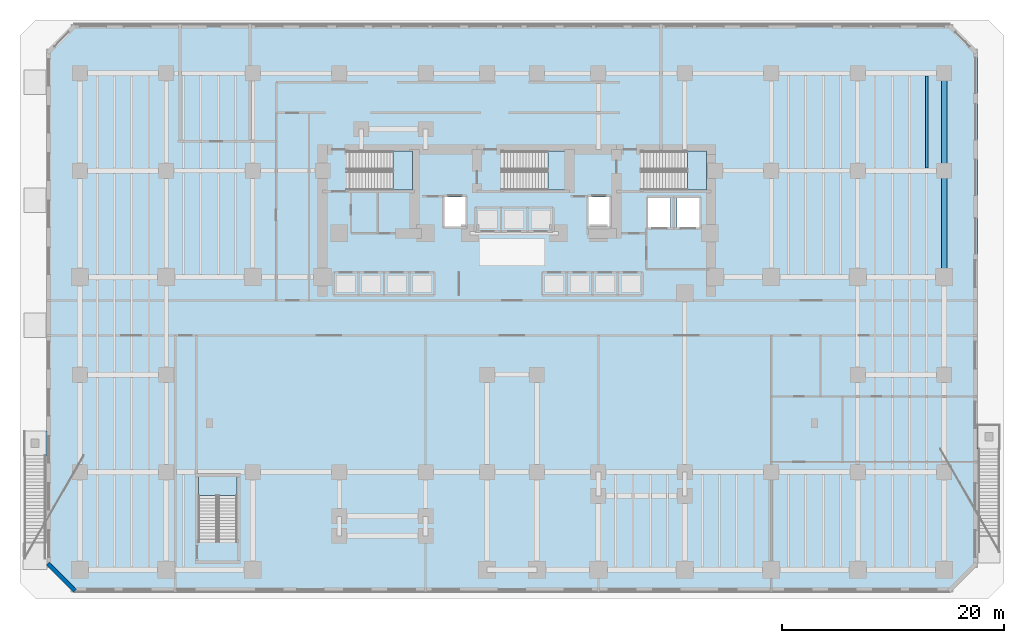
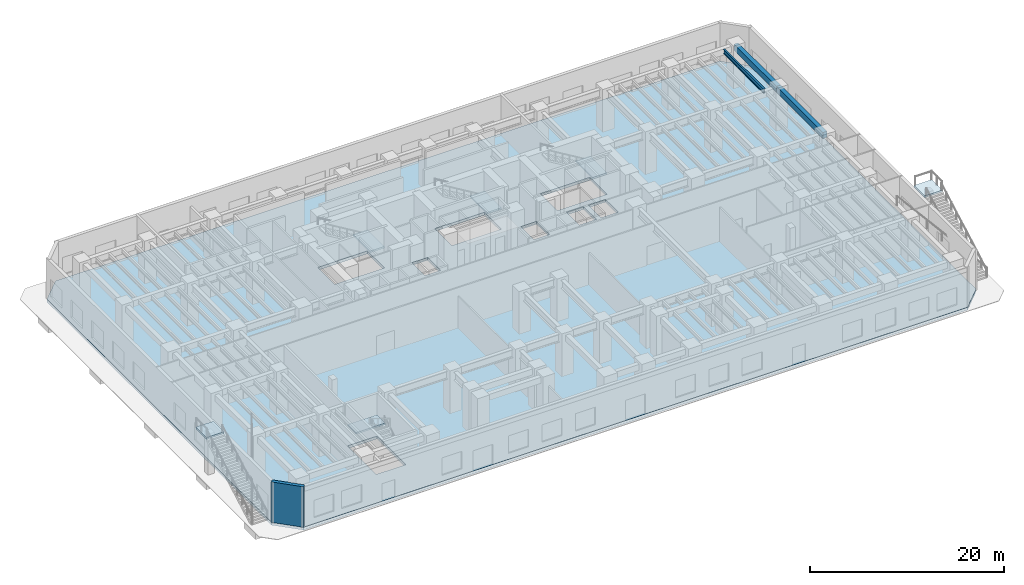
# One storey, part 3 of 17: 7 slabs, 3 beams, 1 wall, 6 elements without a shape of their own.
"""IFC4 building model written with IfcOpenShell, lengths in metres."""

from ifc_helpers import new_model, si_unit, direction, frame, frame_2d, origin, origin_2d, place, context, subcontext, project, spatial, polyline, rectangle, i_section, outline, extrude, material, layer, layer_set, material_profile, profile_set, type_object, element, aggregate, save


model = new_model("IFC4")

# Units and contexts
model_context = context("Model", 3, precision=1e-05, world=origin(), true_north=direction((0.0, 1.0)))
body_context = subcontext(model_context, "Body", "Model", "MODEL_VIEW")
ifc_project = project(units=[si_unit("LENGTHUNIT", "METRE"), si_unit("AREAUNIT", "SQUARE_METRE"), si_unit("VOLUMEUNIT", "CUBIC_METRE"), si_unit("PLANEANGLEUNIT", "RADIAN"), si_unit("MASSUNIT", "GRAM", prefix="KILO")], contexts=[model_context])

# Site, building, storey
site_placement = place(None, origin())
site = spatial("IfcSite", under=ifc_project, at=site_placement, CompositionType="ELEMENT")
building_placement = place(site_placement, origin())
building = spatial("IfcBuilding", under=site, at=building_placement, Name="Kestravale Grand Hotel", CompositionType="ELEMENT")
storey_placement = place(building_placement, origin())
storey = spatial("IfcBuildingStorey", under=building, at=storey_placement, Name="L00", CompositionType="ELEMENT", Elevation=0.0)

# Beams
ifc_material_1 = material(Name="Steel ASTM A992 Grade 50", Category="steel")
ifc_material_profile_1 = material_profile(ifc_material_1, i_section(OverallWidth=0.2099609375, OverallDepth=0.535888671875, WebThickness=0.010986328125, FlangeThickness=0.017333984375, FilletRadius=0.017578125, at=origin_2d()))
ifc_profile_set_1 = profile_set([ifc_material_profile_1], Name="Steel ASTM A992 Grade 50")
beam_type_1 = type_object("IfcBeamType", Name="B-FLR-JST21", PredefinedType="JOIST", material=ifc_profile_set_1)
beam_1_placement = place(storey_placement, frame((76.43994140625, 38.64990234375, 4.83203125), z_axis=(0.0, 1.0, 0.0), x_axis=(-1.0, 0.0, 0.0)))
element("IfcBeam", 1, at=beam_1_placement, inside=storey, type_object=beam_type_1, Name="L00 floor joist 11-12/F-G #4", PredefinedType="JOIST", context=body_context, shape_type="SweptSolid", body=[
    extrude(i_section(OverallWidth=0.2099609375, OverallDepth=0.535888671875, WebThickness=0.010986328125, FlangeThickness=0.017333984375, FilletRadius=0.017578125, at=origin_2d()), origin(), (0.0, 0.0, 1.0), 8.300048828125),
])
ifc_material_2 = material(Name="Concrete f'c 45 MPa", Category="concrete")
ifc_material_profile_2 = material_profile(ifc_material_2, rectangle(XDim=0.5, YDim=0.75, at=origin_2d()))
ifc_profile_set_2 = profile_set([ifc_material_profile_2], Name="Concrete f'c 45 MPa")
beam_type_2 = type_object("IfcBeamType", Name="B-FLR-RC750", PredefinedType="SPANDREL", material=ifc_profile_set_2)
beam_2_placement = place(storey_placement, frame((78.0, 28.800048828125, 4.72509765625), z_axis=(0.0, 1.0, 0.0), x_axis=(-1.0, 0.0, 0.0)))
element("IfcBeam", 2, at=beam_2_placement, inside=storey, type_object=beam_type_2, Name="L00 spandrel 12:E-F", PredefinedType="SPANDREL", context=body_context, shape_type="SweptSolid", body=[
    extrude(rectangle(XDim=0.5, YDim=0.75, at=origin_2d()), origin(), (0.0, 0.0, 1.0), 9.599853515625),
])
beam_3_placement = place(storey_placement, frame((78.0, 38.39990234375, 4.72509765625), z_axis=(0.0, 1.0, 0.0), x_axis=(-1.0, 0.0, 0.0)))
element("IfcBeam", 3, at=beam_3_placement, inside=storey, type_object=beam_type_2, Name="L00 spandrel 12:F-G", PredefinedType="SPANDREL", context=body_context, shape_type="SweptSolid", body=[
    extrude(rectangle(XDim=0.5, YDim=0.75, at=origin_2d()), origin(), (0.0, 0.0, 1.0), 8.800048828125),
])

# Stair, slab
ifc_material_3 = material(Name="Concrete f'c 45 MPa", Category="concrete")
stair_type_1 = type_object("IfcStairType", Name="ST-EXT-GDN", PredefinedType="STRAIGHT_RUN_STAIR", material=ifc_material_3)
stair_1_placement = place(storey_placement, origin())
stair_1 = element("IfcStair", 4, at=stair_1_placement, inside=storey, type_object=stair_type_1, Name="L00 cascading public garden stair 1", PredefinedType="STRAIGHT_RUN_STAIR")
ifc_material_4 = material(Name="Concrete f'c 45 MPa", Category="concrete")
ifc_layer_1 = layer(ifc_material_4, 0.25)
ifc_layer_set_1 = layer_set([ifc_layer_1], Name="SLB-EXT-LND")
slab_type_1 = type_object("IfcSlabType", Name="SLB-EXT-LND", PredefinedType="LANDING", material=ifc_layer_set_1)
slab_1_placement = place(storey_placement, frame((0.0, 0.0, 5.14990234375)))
slab_1 = element("IfcSlab", 5, at=slab_1_placement, type_object=slab_type_1, Name="ST-G1 landing 1", PredefinedType="LANDING", context=body_context, shape_type="SweptSolid", body=[
    extrude(outline(polyline([(-5.050048828125, 12.699951171875), (-2.949951171875, 12.699951171875), (-2.949951171875, 14.89990234375), (-5.050048828125, 14.89990234375), (-5.050048828125, 12.699951171875)])), origin(), (0.0, 0.0, 1.0), 0.25),
])
aggregate(stair_1, [slab_1])

stair_2_placement = place(storey_placement, origin())
stair_2 = element("IfcStair", 6, at=stair_2_placement, inside=storey, type_object=stair_type_1, Name="L00 east forecourt monumental stair", PredefinedType="STRAIGHT_RUN_STAIR")
slab_2_placement = place(storey_placement, frame((0.0, 0.0, 5.14990234375)))
slab_2 = element("IfcSlab", 7, at=slab_2_placement, type_object=slab_type_1, Name="ST-G5 landing 1", PredefinedType="LANDING", context=body_context, shape_type="SweptSolid", body=[
    extrude(outline(polyline([(80.949951171875, 13.300048828125), (83.050048828125, 13.300048828125), (83.050048828125, 15.5), (80.949951171875, 15.5), (80.949951171875, 13.300048828125)])), origin(), (0.0, 0.0, 1.0), 0.25),
])
aggregate(stair_2, [slab_2])

ifc_material_5 = material(Name="Concrete f'c 45 MPa", Category="concrete")
stair_type_2 = type_object("IfcStairType", Name="ST-CORE-540", PredefinedType="HALF_TURN_STAIR", material=ifc_material_5)
stair_3_placement = place(storey_placement, origin())
stair_3 = element("IfcStair", 8, at=stair_3_placement, inside=storey, type_object=stair_type_2, Name="L00 ST-1", PredefinedType="HALF_TURN_STAIR")
ifc_material_6 = material(Name="Concrete f'c 45 MPa", Category="concrete")
ifc_layer_2 = layer(ifc_material_6, 0.199951171875)
ifc_layer_set_2 = layer_set([ifc_layer_2], Name="SLB-ST-LND200")
slab_type_2 = type_object("IfcSlabType", Name="SLB-ST-LND200", PredefinedType="LANDING", material=ifc_layer_set_2)
slab_3_placement = place(storey_placement, frame((0.0, 0.0, 2.5)))
slab_3 = element("IfcSlab", 9, at=slab_3_placement, type_object=slab_type_2, Name="ST-1 landing 1", PredefinedType="LANDING", context=body_context, shape_type="SweptSolid", body=[
    extrude(outline(polyline([(28.280029296875, 36.64990234375), (30.0, 36.64990234375), (30.0, 40.159912109375), (28.280029296875, 40.159912109375), (28.280029296875, 36.64990234375)])), origin(), (0.0, 0.0, 1.0), 0.199951171875),
])
aggregate(stair_3, [slab_3])

stair_4_placement = place(storey_placement, origin())
stair_4 = element("IfcStair", 10, at=stair_4_placement, inside=storey, type_object=stair_type_2, Name="L00 ST-2", PredefinedType="HALF_TURN_STAIR")
slab_4_placement = place(storey_placement, frame((0.0, 0.0, 2.5)))
slab_4 = element("IfcSlab", 11, at=slab_4_placement, type_object=slab_type_2, Name="ST-2 landing 1", PredefinedType="LANDING", context=body_context, shape_type="SweptSolid", body=[
    extrude(outline(polyline([(42.22998046875, 36.64990234375), (43.949951171875, 36.64990234375), (43.949951171875, 40.159912109375), (42.22998046875, 40.159912109375), (42.22998046875, 36.64990234375)])), origin(), (0.0, 0.0, 1.0), 0.199951171875),
])
aggregate(stair_4, [slab_4])

stair_5_placement = place(storey_placement, origin())
stair_5 = element("IfcStair", 12, at=stair_5_placement, inside=storey, type_object=stair_type_2, Name="L00 ST-3", PredefinedType="HALF_TURN_STAIR")
slab_5_placement = place(storey_placement, frame((0.0, 0.0, 2.5)))
slab_5 = element("IfcSlab", 13, at=slab_5_placement, type_object=slab_type_2, Name="ST-3 landing 1", PredefinedType="LANDING", context=body_context, shape_type="SweptSolid", body=[
    extrude(outline(polyline([(54.830078125, 36.64990234375), (56.550048828125, 36.64990234375), (56.550048828125, 40.159912109375), (54.830078125, 40.159912109375), (54.830078125, 36.64990234375)])), origin(), (0.0, 0.0, 1.0), 0.199951171875),
])
aggregate(stair_5, [slab_5])

stair_6_placement = place(storey_placement, origin())
stair_6 = element("IfcStair", 14, at=stair_6_placement, inside=storey, type_object=stair_type_2, Name="L00 ST-4", PredefinedType="HALF_TURN_STAIR")
slab_6_placement = place(storey_placement, frame((0.0, 0.0, 2.5)))
slab_6 = element("IfcSlab", 15, at=slab_6_placement, type_object=slab_type_2, Name="ST-4 landing 1", PredefinedType="LANDING", context=body_context, shape_type="SweptSolid", body=[
    extrude(outline(polyline([(14.199951171875, 9.080078125), (14.199951171875, 10.800048828125), (10.68994140625, 10.800048828125), (10.68994140625, 9.080078125), (14.199951171875, 9.080078125)])), origin(), (0.0, 0.0, 1.0), 0.199951171875),
])
aggregate(stair_6, [slab_6])

# Slab
ifc_material_7 = material(Name="Concrete f'c 45 MPa", Category="concrete")
ifc_layer_3 = layer(ifc_material_7, 0.35009765625)
ifc_layer_set_3 = layer_set([ifc_layer_3], Name="SS-POD-350")
slab_type_3 = type_object("IfcSlabType", Name="SS-POD-350", PredefinedType="FLOOR", material=ifc_layer_set_3)
slab_7_placement = place(storey_placement, frame((0.0, 0.0, -0.35009765625)))
element("IfcSlab", 16, at=slab_7_placement, inside=storey, type_object=slab_type_3, Name="L00 structural floor slab", PredefinedType="FLOOR", context=body_context, shape_type="SweptSolid", body=[
    extrude(outline(polyline([(-0.60009765625, 0.39990234375), (78.60009765625, 0.39990234375), (81.0, 2.800048828125), (81.0, 49.199951171875), (78.60009765625, 51.60009765625), (-0.60009765625, 51.60009765625), (-3.0, 49.199951171875), (-3.0, 2.800048828125), (-0.60009765625, 0.39990234375)]), holes=[polyline([(24.080078125, 36.64990234375), (30.0, 36.64990234375), (30.0, 40.159912109375), (24.080078125, 40.159912109375), (24.080078125, 36.64990234375)]), polyline([(38.030029296875, 36.64990234375), (43.949951171875, 36.64990234375), (43.949951171875, 40.159912109375), (38.030029296875, 40.159912109375), (38.030029296875, 36.64990234375)]), polyline([(50.6298828125, 36.64990234375), (56.550048828125, 36.64990234375), (56.550048828125, 40.159912109375), (50.6298828125, 40.159912109375), (50.6298828125, 36.64990234375)]), polyline([(14.199951171875, 4.8798828125), (14.199951171875, 10.800048828125), (10.68994140625, 10.800048828125), (10.68994140625, 4.8798828125), (14.199951171875, 4.8798828125)]), polyline([(32.905029296875, 33.35498046875), (34.794921875, 33.35498046875), (34.794921875, 36.044921875), (32.905029296875, 36.044921875), (32.905029296875, 33.35498046875)]), polyline([(45.905029296875, 33.35498046875), (47.794921875, 33.35498046875), (47.794921875, 36.044921875), (45.905029296875, 36.044921875), (45.905029296875, 33.35498046875)]), polyline([(51.280029296875, 33.280029296875), (53.320068359375, 33.280029296875), (53.320068359375, 35.919921875), (51.280029296875, 35.919921875), (51.280029296875, 33.280029296875)]), polyline([(53.8798828125, 33.280029296875), (55.919921875, 33.280029296875), (55.919921875, 35.919921875), (53.8798828125, 35.919921875), (53.8798828125, 33.280029296875)])]), origin(), (0.0, 0.0, 1.0), 0.35009765625),
])

# Wall
ifc_material_8 = material(Name="Precast concrete f'c 45 MPa", Category="concrete")
ifc_layer_4 = layer(ifc_material_8, 0.3798828125)
ifc_layer_set_4 = layer_set([ifc_layer_4], Name="EW-POD-380")
wall_type = type_object("IfcWallType", Name="EW-POD-380", PredefinedType="SOLIDWALL", material=ifc_layer_set_4)
wall_placement = place(storey_placement, frame((-0.4375, 0.506103515625, 0.0), z_axis=(0.0, 0.0, 1.0), x_axis=(-0.707071641081, 0.707141919546, 0.0)))
element("IfcWall", 17, at=wall_placement, inside=storey, type_object=wall_type, Name="L00 fluted precast facade wall 8", PredefinedType="SOLIDWALL", context=body_context, shape_type="SweptSolid", body=[
    extrude(rectangle(XDim=3.473876953125, YDim=0.3798828125, at=frame_2d((1.73681640625, 0.0))), origin(), (0.0, 0.0, 1.0), 5.10009765625),
])

save(model, "model.ifc")
